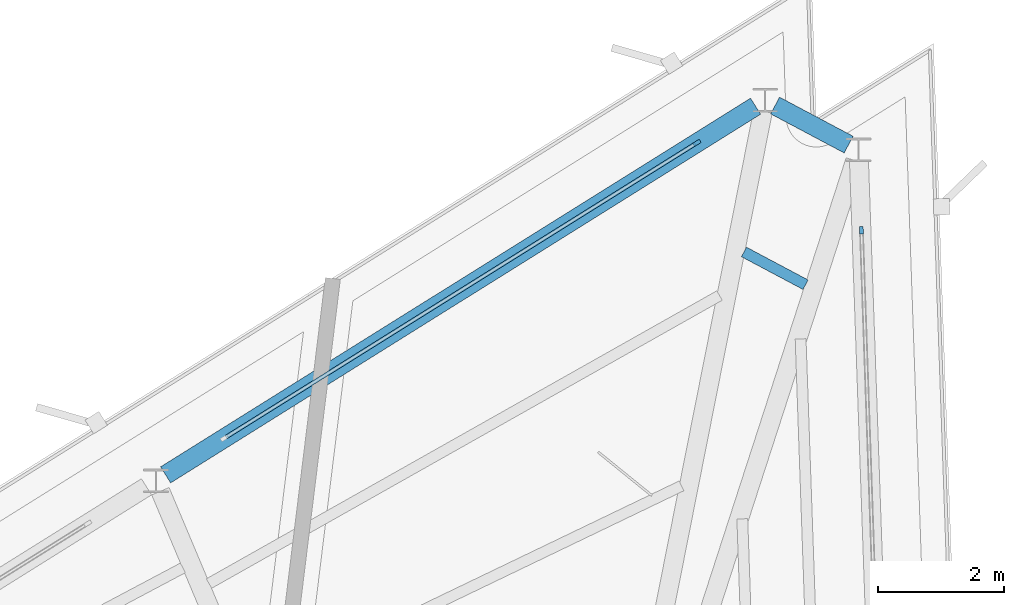
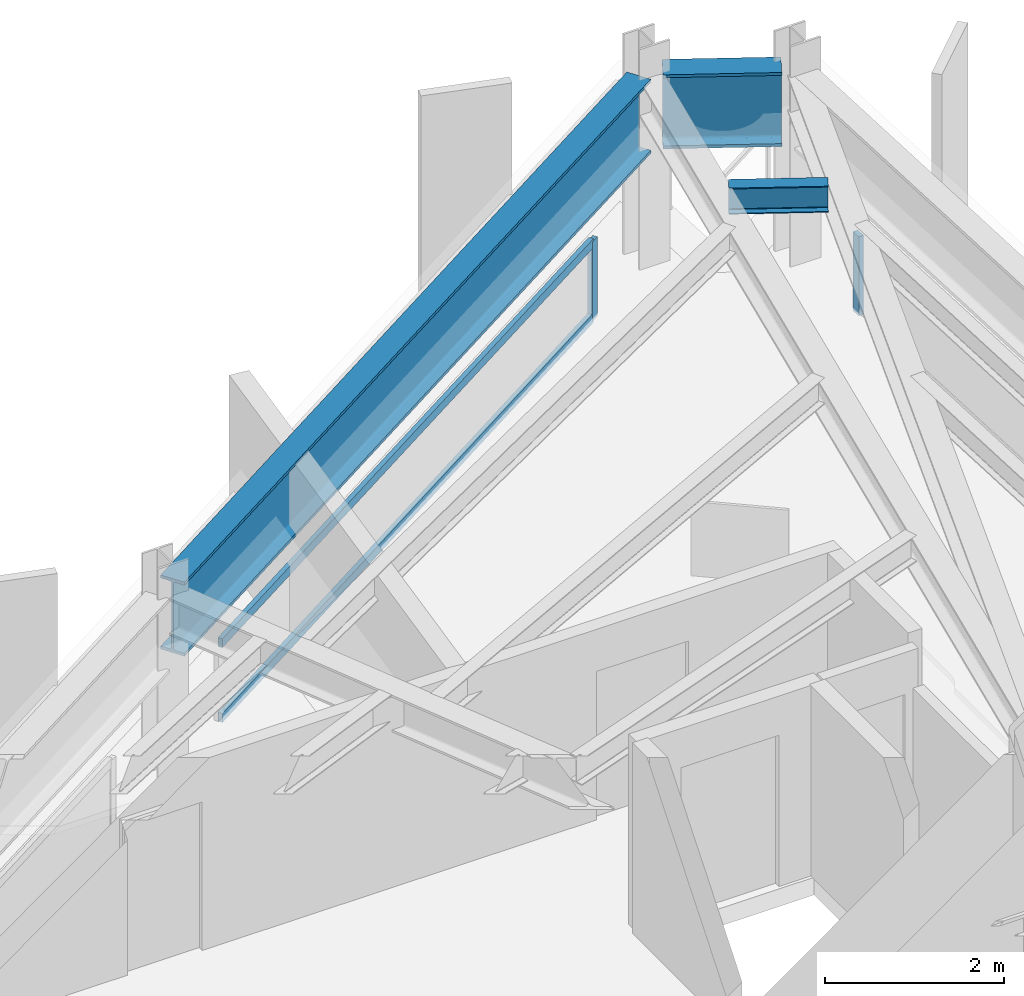
# One storey, part 7 of 13: 4 members, 3 beams, 2 elements without a shape of their own.
"""IFC4 building model written with IfcOpenShell, lengths in metres."""

from ifc_helpers import new_model, si_unit, direction, frame, origin, origin_2d, place, context, subcontext, project, spatial, rectangle, i_section, extrude, material, layer, layer_set, material_profile, profile_set, type_object, element, aggregate, save


model = new_model("IFC4")

# Units and contexts
model_context = context("Model", 3, precision=1e-05, world=origin(), true_north=direction((0.0, 1.0)))
body_context = subcontext(model_context, "Body", "Model", "MODEL_VIEW")
ifc_project = project(units=[si_unit("LENGTHUNIT", "METRE"), si_unit("AREAUNIT", "SQUARE_METRE"), si_unit("VOLUMEUNIT", "CUBIC_METRE"), si_unit("PLANEANGLEUNIT", "RADIAN"), si_unit("MASSUNIT", "GRAM", prefix="KILO")], contexts=[model_context])

# Site, building, storey
site_placement = place(None, origin())
site = spatial("IfcSite", under=ifc_project, at=site_placement, CompositionType="ELEMENT")
building_placement = place(site_placement, origin())
building = spatial("IfcBuilding", under=site, at=building_placement, Name="Rocaltana Carrier Exchange", CompositionType="ELEMENT")
storey_placement = place(building_placement, frame((0.0, 0.0, 211.840087890625)))
storey = spatial("IfcBuildingStorey", under=building, at=storey_placement, Name="L67", CompositionType="ELEMENT", Elevation=211.840087890625)

# Curtain wall, member
ifc_material_1 = material(Name="Aluminium 6063-T6", Category="aluminium")
ifc_layer = layer(ifc_material_1, 0.1201171875)
ifc_layer_set = layer_set([ifc_layer], Name="Aluminium 6063-T6")
curtain_wall_type = type_object("IfcCurtainWallType", Name="High-Altitude Thermal Curtain Wall CW-05", PredefinedType="NOTDEFINED", material=ifc_layer_set)
curtain_wall_1_placement = place(storey_placement, origin())
curtain_wall_1 = element("IfcCurtainWall", 1, at=curtain_wall_1_placement, inside=storey, type_object=curtain_wall_type, Name="L67 CW-05 Run CW-L67-F1S3", PredefinedType="NOTDEFINED")
ifc_material_2 = material(Name="Aluminium 6063-T6", Category="aluminium")
ifc_material_profile_1 = material_profile(ifc_material_2, rectangle(XDim=0.06005859375, YDim=0.1201171875, at=origin_2d()), Name="AL-60X120")
ifc_profile_set_1 = profile_set([ifc_material_profile_1], Name="Aluminium 6063-T6")
member_type_1 = type_object("IfcMemberType", Name="CW-05 Mullion AL-60X120", PredefinedType="MULLION", material=ifc_profile_set_1)
member_1_placement = place(storey_placement, frame((10.31396484375, 16.239990234375, 0.0), z_axis=(0.0, 0.0, 1.0), x_axis=(-0.999390720156, -0.034902556738, 0.0)))
member_1 = element("IfcMember", 2, at=member_1_placement, type_object=member_type_1, Name="CW-05 mullion 2", PredefinedType="MULLION", context=body_context, shape_type="SweptSolid", body=[
    extrude(rectangle(XDim=0.06005859375, YDim=0.1201171875, at=origin_2d()), origin(), (0.0, 0.0, 1.0), 1.077880859375),
])
aggregate(curtain_wall_1, [member_1])

# Curtain wall, members
curtain_wall_2_placement = place(storey_placement, origin())
curtain_wall_2 = element("IfcCurtainWall", 3, at=curtain_wall_2_placement, inside=storey, type_object=curtain_wall_type, Name="L67 CW-05 Run CW-L67-F2S1", PredefinedType="NOTDEFINED")
member_2_placement = place(storey_placement, frame((7.696044921875, 17.6318359375, 0.0), z_axis=(0.0, 0.0, 1.0), x_axis=(0.529928503412, -0.848042322807, 0.0)))
member_2 = element("IfcMember", 4, at=member_2_placement, type_object=member_type_1, Name="CW-05 mullion 1", PredefinedType="MULLION", context=body_context, shape_type="SweptSolid", body=[
    extrude(rectangle(XDim=0.06005859375, YDim=0.1201171875, at=origin_2d()), origin(), (0.0, 0.0, 1.0), 1.077880859375),
])
ifc_material_3 = material(Name="Aluminium 6063-T6", Category="aluminium")
ifc_material_profile_2 = material_profile(ifc_material_3, rectangle(XDim=0.06005859375, YDim=0.1201171875, at=origin_2d()), Name="AL-60X120")
ifc_profile_set_2 = profile_set([ifc_material_profile_2], Name="Aluminium 6063-T6")
member_type_2 = type_object("IfcMemberType", Name="CW-05 Transom AL-60X120", PredefinedType="USERDEFINED", material=ifc_profile_set_2)
member_3_placement = place(storey_placement, frame((7.67041015625, 17.615966796875, 0.030029296875), z_axis=(-0.848037208835, -0.529936687192, 0.0), x_axis=(0.529936687192, -0.848037208835, 0.0)))
member_3 = element("IfcMember", 5, at=member_3_placement, type_object=member_type_2, Name="CW-05 transom 1.1", ObjectType="TRANSOM", PredefinedType="USERDEFINED", context=body_context, shape_type="SweptSolid", body=[
    extrude(rectangle(XDim=0.06005859375, YDim=0.1201171875, at=origin_2d()), origin(), (0.0, 0.0, 1.0), 8.813232421875),
])
member_4_placement = place(storey_placement, frame((7.67041015625, 17.615966796875, 1.0478515625), z_axis=(-0.848037208835, -0.529936687192, 0.0), x_axis=(0.529936687192, -0.848037208835, 0.0)))
member_4 = element("IfcMember", 6, at=member_4_placement, type_object=member_type_2, Name="CW-05 transom 1.2", ObjectType="TRANSOM", PredefinedType="USERDEFINED", context=body_context, shape_type="SweptSolid", body=[
    extrude(rectangle(XDim=0.06005859375, YDim=0.1201171875, at=origin_2d()), origin(), (0.0, 0.0, 1.0), 8.813232421875),
])
aggregate(curtain_wall_2, [member_2, member_3, member_4])

# Beams
ifc_material_4 = material(Name="Steel S355", Category="steel")
ifc_material_profile_3 = material_profile(ifc_material_4, i_section(OverallWidth=0.172119140625, OverallDepth=0.35791015625, WebThickness=0.0078125, FlangeThickness=0.01318359375, FilletRadius=0.011962890625, at=origin_2d()), Name="W14X38")
ifc_profile_set_3 = profile_set([ifc_material_profile_3], Name="Steel S355")
beam_type_1 = type_object("IfcBeamType", Name="Floor Joist W14X38", PredefinedType="JOIST", material=ifc_profile_set_3)
beam_1_placement = place(storey_placement, frame((9.4248046875, 15.37353515625, 2.43896484375), z_axis=(-0.882979040658, 0.469412413298, 0.0), x_axis=(-0.469412413298, -0.882979040658, 0.0)))
element("IfcBeam", 7, at=beam_1_placement, inside=storey, type_object=beam_type_1, Name="FJ-L67-04-3", PredefinedType="JOIST", context=body_context, shape_type="SweptSolid", body=[
    extrude(i_section(OverallWidth=0.172119140625, OverallDepth=0.35791015625, WebThickness=0.0078125, FlangeThickness=0.01318359375, FilletRadius=0.011962890625, at=origin_2d()), origin(), (0.0, 0.0, 1.0), 1.1103515625),
])
ifc_material_5 = material(Name="Steel S460", Category="steel")
ifc_material_profile_4 = material_profile(ifc_material_5, i_section(OverallWidth=0.302001953125, OverallDepth=1.008056640625, WebThickness=0.02099609375, FlangeThickness=0.0400390625, FilletRadius=0.030029296875, at=origin_2d()), Name="HEM1000")
ifc_profile_set_4 = profile_set([ifc_material_profile_4], Name="Steel S460")
beam_type_2 = type_object("IfcBeamType", Name="Transfer Ring Girder HEM1000", PredefinedType="USERDEFINED", material=ifc_profile_set_4)
beam_2_placement = place(storey_placement, frame((10.110595703125, 17.603515625, 2.114013671875), z_axis=(-0.882989322393, 0.46939307253, 0.0), x_axis=(-0.46939307253, -0.882989322393, 0.0)))
element("IfcBeam", 8, at=beam_2_placement, inside=storey, type_object=beam_type_2, Name="SP-L67-04", ObjectType="TRANSFER GIRDER", PredefinedType="USERDEFINED", context=body_context, shape_type="SweptSolid", body=[
    extrude(i_section(OverallWidth=0.302001953125, OverallDepth=1.008056640625, WebThickness=0.02099609375, FlangeThickness=0.0400390625, FilletRadius=0.030029296875, at=origin_2d()), origin(), (0.0, 0.0, 1.0), 1.32568359375),
])
beam_3_placement = place(storey_placement, frame((8.62939453125, 18.215087890625, 2.114013671875), z_axis=(-0.84804288723, -0.529927600167, 0.0), x_axis=(0.529927600167, -0.84804288723, 0.0)))
element("IfcBeam", 9, at=beam_3_placement, inside=storey, type_object=beam_type_2, Name="SP-L67-05", ObjectType="TRANSFER GIRDER", PredefinedType="USERDEFINED", context=body_context, shape_type="SweptSolid", body=[
    extrude(i_section(OverallWidth=0.302001953125, OverallDepth=1.008056640625, WebThickness=0.02099609375, FlangeThickness=0.0400390625, FilletRadius=0.030029296875, at=origin_2d()), origin(), (0.0, 0.0, 1.0), 11.074462890625),
])

save(model, "model.ifc")
